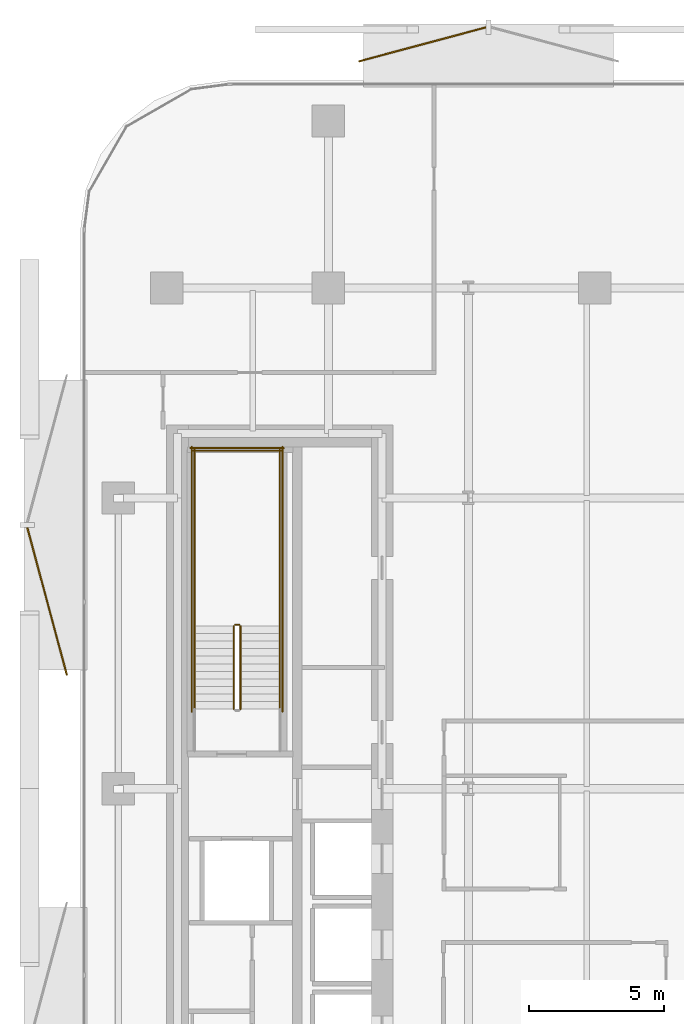
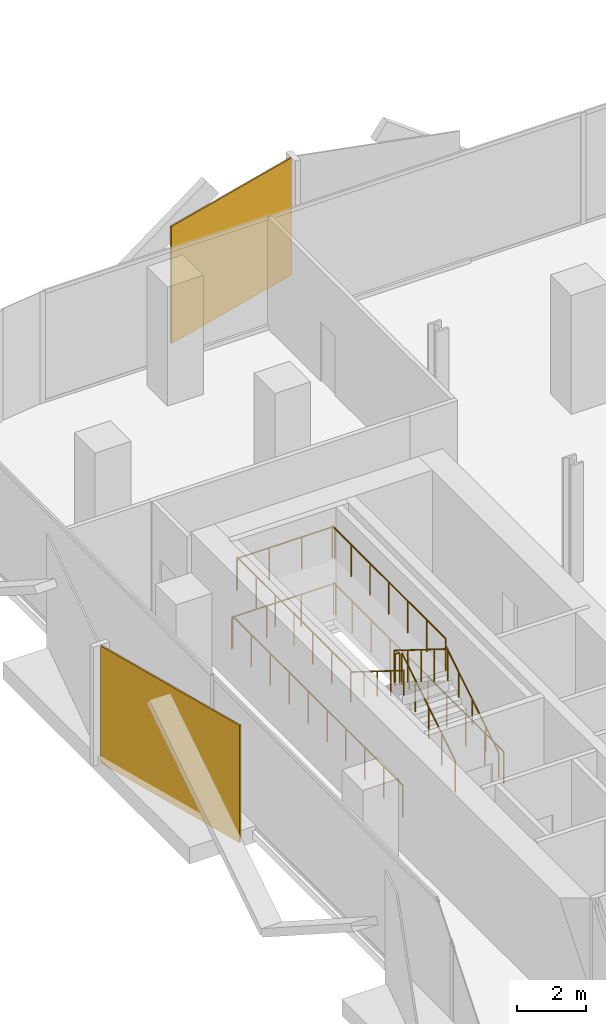
# One storey, part 14 of 15: 11 railings, 2 coverings.
"""IFC4 building model written with IfcOpenShell, lengths in metres."""

from ifc_helpers import new_model, si_unit, direction, frame, origin, origin_2d, place, context, subcontext, project, spatial, rectangle, circle, extrude, material, layer, layer_set, type_object, element, save


model = new_model("IFC4")

# Units and contexts
model_context = context("Model", 3, precision=1e-05, world=origin(), true_north=direction((0.0, 1.0)))
body_context = subcontext(model_context, "Body", "Model", "MODEL_VIEW")
ifc_project = project(units=[si_unit("LENGTHUNIT", "METRE"), si_unit("AREAUNIT", "SQUARE_METRE"), si_unit("VOLUMEUNIT", "CUBIC_METRE"), si_unit("PLANEANGLEUNIT", "RADIAN"), si_unit("MASSUNIT", "GRAM", prefix="KILO")], contexts=[model_context])

# Site, building, storey
site_placement = place(None, origin())
site = spatial("IfcSite", under=ifc_project, at=site_placement, CompositionType="ELEMENT")
building_placement = place(site_placement, origin())
building = spatial("IfcBuilding", under=site, at=building_placement, Name="Khairoan Windgate Tower", CompositionType="ELEMENT")
storey_placement = place(building_placement, frame((0.0, 0.0, 131.0)))
storey = spatial("IfcBuildingStorey", under=building, at=storey_placement, Name="L30", CompositionType="ELEMENT", Elevation=131.0)

# Coverings
ifc_material_1 = material(Name="Anodised Bronze Aluminium 6063-T6", Category="aluminium")
ifc_layer = layer(ifc_material_1, 0.054931640625, Name="Anodised Bronze Aluminium 6063-T6")
ifc_layer_set = layer_set([ifc_layer], Name="Anodised Bronze Aluminium 6063-T6")
covering_type = type_object("IfcCoveringType", Name="Perforated Bronze-Ceramic Folded Solar Screen Cladding BSC-1", PredefinedType="CLADDING", material=ifc_layer_set)
covering_1_placement = place(storey_placement, frame((-24.8447265625, 6.961669921875, -0.10009765625), z_axis=(0.0, 0.0, 1.0), x_axis=(-0.258819045103, 0.965925826289, 0.0)))
element("IfcCovering", 1, at=covering_1_placement, inside=storey, type_object=covering_type, Name="L30 Folded Bronze Solar Screen Facet 188L", PredefinedType="CLADDING", context=body_context, shape_type="SweptSolid", body=[
    extrude(rectangle(XDim=5.680908203125, YDim=0.054931640625, at=origin_2d()), origin(), (0.0, 0.0, 1.0), 4.139892578125),
])
covering_2_placement = place(storey_placement, frame((-10.90087890625, 27.646240234375, -0.10009765625), z_axis=(0.0, 0.0, 1.0), x_axis=(0.965925826289, 0.258819045103, 0.0)))
element("IfcCovering", 2, at=covering_2_placement, inside=storey, type_object=covering_type, Name="L30 Folded Bronze Solar Screen Facet 189L", PredefinedType="CLADDING", context=body_context, shape_type="SweptSolid", body=[
    extrude(rectangle(XDim=4.89794921875, YDim=0.054931640625, at=origin_2d()), origin(), (0.0, 0.0, 1.0), 4.139892578125),
])

# Railings
ifc_material_2 = material(Name="Anodised Bronze Aluminium 6063-T6", Category="aluminium")
railing_type_1 = type_object("IfcRailingType", Name="Stair Wall Handrail SHR-900", PredefinedType="HANDRAIL", material=ifc_material_2)
railing_1_placement = place(storey_placement, frame((-16.199951171875, 2.9599609375, 0.175048828125)))
element("IfcRailing", 3, at=railing_1_placement, inside=storey, type_object=railing_type_1, Name="L30 ST2 stair handrail 1", PredefinedType="HANDRAIL", context=body_context, shape_type="SweptSolid", body=[
    extrude(circle(Radius=0.02392578125, at=origin_2d()), frame((0.0, 0.0, 0.8759765625), z_axis=(0.0, 0.847998304005, 0.529998940003), x_axis=(-1.0, 0.0, 0.0)), (0.0, 0.0, 1.0), 3.632080078125),
    extrude(circle(Radius=0.02099609375, at=origin_2d()), origin(), (0.0, 0.0, 1.0), 0.851806640625),
    extrude(circle(Radius=0.02099609375, at=origin_2d()), frame((0.0, 0.77001953125, 0.481201171875)), (0.0, 0.0, 1.0), 0.851806640625),
    extrude(circle(Radius=0.02099609375, at=origin_2d()), frame((0.0, 1.5400390625, 0.96240234375)), (0.0, 0.0, 1.0), 0.851806640625),
    extrude(circle(Radius=0.02099609375, at=origin_2d()), frame((0.0, 2.31005859375, 1.44384765625)), (0.0, 0.0, 1.0), 0.851806640625),
    extrude(circle(Radius=0.02099609375, at=origin_2d()), frame((0.0, 3.080078125, 1.925048828125)), (0.0, 0.0, 1.0), 0.851806640625),
])
railing_2_placement = place(storey_placement, frame((-19.3701171875, 6.0400390625, 2.27490234375)))
element("IfcRailing", 4, at=railing_2_placement, inside=storey, type_object=railing_type_1, Name="L30 ST2 stair handrail 2", PredefinedType="HANDRAIL", context=body_context, shape_type="SweptSolid", body=[
    extrude(circle(Radius=0.02392578125, at=origin_2d()), frame((0.0, 0.0, 0.8759765625), z_axis=(0.0, -0.847998304005, 0.529998940003), x_axis=(1.0, 0.0, 0.0)), (0.0, 0.0, 1.0), 3.632080078125),
    extrude(circle(Radius=0.02099609375, at=origin_2d()), origin(), (0.0, 0.0, 1.0), 0.851806640625),
    extrude(circle(Radius=0.02099609375, at=origin_2d()), frame((0.0, -0.77001953125, 0.481201171875)), (0.0, 0.0, 1.0), 0.851806640625),
    extrude(circle(Radius=0.02099609375, at=origin_2d()), frame((0.0, -1.5400390625, 0.96240234375)), (0.0, 0.0, 1.0), 0.851806640625),
    extrude(circle(Radius=0.02099609375, at=origin_2d()), frame((0.0, -2.31005859375, 1.44384765625)), (0.0, 0.0, 1.0), 0.851806640625),
    extrude(circle(Radius=0.02099609375, at=origin_2d()), frame((0.0, -3.080078125, 1.925048828125)), (0.0, 0.0, 1.0), 0.851806640625),
])
ifc_material_3 = material(Name="Steel S355", Category="steel")
railing_type_2 = type_object("IfcRailingType", Name="Stairwell Safety Guardrail SGR-1150", PredefinedType="GUARDRAIL", material=ifc_material_3)
railing_3_placement = place(storey_placement, frame((-17.659912109375, 2.9599609375, 0.175048828125)))
element("IfcRailing", 5, at=railing_3_placement, inside=storey, type_object=railing_type_2, Name="L30 ST2 stair guard 1", PredefinedType="GUARDRAIL", context=body_context, shape_type="SweptSolid", body=[
    extrude(circle(Radius=0.02392578125, at=origin_2d()), frame((0.0, 0.0, 1.1259765625), z_axis=(0.0, 0.847998304005, 0.529998940003), x_axis=(-1.0, 0.0, 0.0)), (0.0, 0.0, 1.0), 3.632080078125),
    extrude(circle(Radius=0.02099609375, at=origin_2d()), origin(), (0.0, 0.0, 1.0), 1.101806640625),
    extrude(circle(Radius=0.02099609375, at=origin_2d()), frame((0.0, 0.77001953125, 0.481201171875)), (0.0, 0.0, 1.0), 1.101806640625),
    extrude(circle(Radius=0.02099609375, at=origin_2d()), frame((0.0, 1.5400390625, 0.96240234375)), (0.0, 0.0, 1.0), 1.101806640625),
    extrude(circle(Radius=0.02099609375, at=origin_2d()), frame((0.0, 2.31005859375, 1.44384765625)), (0.0, 0.0, 1.0), 1.101806640625),
    extrude(circle(Radius=0.02099609375, at=origin_2d()), frame((0.0, 3.080078125, 1.925048828125)), (0.0, 0.0, 1.0), 1.101806640625),
])
railing_4_placement = place(storey_placement, frame((-17.7099609375, 6.090087890625, 2.10009765625)))
element("IfcRailing", 6, at=railing_4_placement, inside=storey, type_object=railing_type_2, Name="L30 ST2 stair guard 2", PredefinedType="GUARDRAIL", context=body_context, shape_type="SweptSolid", body=[
    extrude(circle(Radius=0.02392578125, at=origin_2d()), frame((0.0, 0.0, 1.1259765625), z_axis=(-1.0, 0.0, 0.0), x_axis=(0.0, -1.0, 0.0)), (0.0, 0.0, 1.0), 0.150146484375),
    extrude(circle(Radius=0.02099609375, at=origin_2d()), origin(), (0.0, 0.0, 1.0), 1.101806640625),
    extrude(circle(Radius=0.02099609375, at=origin_2d()), frame((-0.150146484375, 0.0, 0.0)), (0.0, 0.0, 1.0), 1.101806640625),
])
for number, where, name in (
    (7, (-16.199951171875, 6.0400390625, 2.10009765625), "L30 ST2 stair guard 3"),
    (8, (-19.3701171875, 6.0400390625, 2.10009765625), "L30 ST2 stair guard 4"),
):
    element("IfcRailing", number, at=place(storey_placement, frame(where)), inside=storey, type_object=railing_type_2, Name=name, PredefinedType="GUARDRAIL", context=body_context, shape_type="SweptSolid", body=[
        extrude(circle(Radius=0.02392578125, at=origin_2d()), frame((0.0, 0.0, 1.1259765625), z_axis=(0.0, 1.0, 0.0), x_axis=(-1.0, 0.0, 0.0)), (0.0, 0.0, 1.0), 6.56005859375),
        extrude(circle(Radius=0.02099609375, at=origin_2d()), origin(), (0.0, 0.0, 1.0), 1.101806640625),
        extrude(circle(Radius=0.02099609375, at=origin_2d()), frame((0.0, 1.09326171875, 0.0)), (0.0, 0.0, 1.0), 1.101806640625),
        extrude(circle(Radius=0.02099609375, at=origin_2d()), frame((0.0, 2.186767578125, 0.0)), (0.0, 0.0, 1.0), 1.101806640625),
        extrude(circle(Radius=0.02099609375, at=origin_2d()), frame((0.0, 3.280029296875, 0.0)), (0.0, 0.0, 1.0), 1.101806640625),
        extrude(circle(Radius=0.02099609375, at=origin_2d()), frame((0.0, 4.373291015625, 0.0)), (0.0, 0.0, 1.0), 1.101806640625),
        extrude(circle(Radius=0.02099609375, at=origin_2d()), frame((0.0, 5.466796875, 0.0)), (0.0, 0.0, 1.0), 1.101806640625),
        extrude(circle(Radius=0.02099609375, at=origin_2d()), frame((0.0, 6.56005859375, 0.0)), (0.0, 0.0, 1.0), 1.101806640625),
    ])
railing_5_placement = place(storey_placement, frame((-16.14990234375, 12.550048828125, 2.10009765625)))
element("IfcRailing", 9, at=railing_5_placement, inside=storey, type_object=railing_type_2, Name="L30 ST2 stair guard 5", PredefinedType="GUARDRAIL", context=body_context, shape_type="SweptSolid", body=[
    extrude(circle(Radius=0.02392578125, at=origin_2d()), frame((0.0, 0.0, 1.1259765625), z_axis=(-1.0, 0.0, 0.0), x_axis=(0.0, -1.0, 0.0)), (0.0, 0.0, 1.0), 3.27001953125),
    extrude(circle(Radius=0.02099609375, at=origin_2d()), origin(), (0.0, 0.0, 1.0), 1.101806640625),
    extrude(circle(Radius=0.02099609375, at=origin_2d()), frame((-1.090087890625, 0.0, 0.0)), (0.0, 0.0, 1.0), 1.101806640625),
    extrude(circle(Radius=0.02099609375, at=origin_2d()), frame((-2.179931640625, 0.0, 0.0)), (0.0, 0.0, 1.0), 1.101806640625),
    extrude(circle(Radius=0.02099609375, at=origin_2d()), frame((-3.27001953125, 0.0, 0.0)), (0.0, 0.0, 1.0), 1.101806640625),
])
railing_6_placement = place(storey_placement, frame((-17.909912109375, 6.0400390625, 2.27490234375)))
element("IfcRailing", 10, at=railing_6_placement, inside=storey, type_object=railing_type_2, Name="L30 ST2 stair guard 6", PredefinedType="GUARDRAIL", context=body_context, shape_type="SweptSolid", body=[
    extrude(circle(Radius=0.02392578125, at=origin_2d()), frame((0.0, 0.0, 1.1259765625), z_axis=(0.0, -0.847998304005, 0.529998940003), x_axis=(1.0, 0.0, 0.0)), (0.0, 0.0, 1.0), 3.632080078125),
    extrude(circle(Radius=0.02099609375, at=origin_2d()), origin(), (0.0, 0.0, 1.0), 1.101806640625),
    extrude(circle(Radius=0.02099609375, at=origin_2d()), frame((0.0, -0.77001953125, 0.481201171875)), (0.0, 0.0, 1.0), 1.101806640625),
    extrude(circle(Radius=0.02099609375, at=origin_2d()), frame((0.0, -1.5400390625, 0.96240234375)), (0.0, 0.0, 1.0), 1.101806640625),
    extrude(circle(Radius=0.02099609375, at=origin_2d()), frame((0.0, -2.31005859375, 1.44384765625)), (0.0, 0.0, 1.0), 1.101806640625),
    extrude(circle(Radius=0.02099609375, at=origin_2d()), frame((0.0, -3.080078125, 1.925048828125)), (0.0, 0.0, 1.0), 1.101806640625),
])
for number, where, name in (
    (11, (-16.10009765625, 2.860107421875, 0.0), "L30 ST2 stair guard 10"),
    (12, (-19.469970703125, 2.860107421875, 0.0), "L30 ST2 stair guard 11"),
):
    element("IfcRailing", number, at=place(storey_placement, frame(where)), inside=storey, type_object=railing_type_2, Name=name, PredefinedType="GUARDRAIL", context=body_context, shape_type="SweptSolid", body=[
        extrude(circle(Radius=0.02392578125, at=origin_2d()), frame((0.0, 0.0, 1.1259765625), z_axis=(0.0, 1.0, 0.0), x_axis=(-1.0, 0.0, 0.0)), (0.0, 0.0, 1.0), 9.83984375),
        extrude(circle(Radius=0.02099609375, at=origin_2d()), origin(), (0.0, 0.0, 1.0), 1.101806640625),
        extrude(circle(Radius=0.02099609375, at=origin_2d()), frame((0.0, 1.09326171875, 0.0)), (0.0, 0.0, 1.0), 1.101806640625),
        extrude(circle(Radius=0.02099609375, at=origin_2d()), frame((0.0, 2.1865234375, 0.0)), (0.0, 0.0, 1.0), 1.101806640625),
        extrude(circle(Radius=0.02099609375, at=origin_2d()), frame((0.0, 3.280029296875, 0.0)), (0.0, 0.0, 1.0), 1.101806640625),
        extrude(circle(Radius=0.02099609375, at=origin_2d()), frame((0.0, 4.373291015625, 0.0)), (0.0, 0.0, 1.0), 1.101806640625),
        extrude(circle(Radius=0.02099609375, at=origin_2d()), frame((0.0, 5.466552734375, 0.0)), (0.0, 0.0, 1.0), 1.101806640625),
        extrude(circle(Radius=0.02099609375, at=origin_2d()), frame((0.0, 6.559814453125, 0.0)), (0.0, 0.0, 1.0), 1.101806640625),
        extrude(circle(Radius=0.02099609375, at=origin_2d()), frame((0.0, 7.6533203125, 0.0)), (0.0, 0.0, 1.0), 1.101806640625),
        extrude(circle(Radius=0.02099609375, at=origin_2d()), frame((0.0, 8.74658203125, 0.0)), (0.0, 0.0, 1.0), 1.101806640625),
        extrude(circle(Radius=0.02099609375, at=origin_2d()), frame((0.0, 9.83984375, 0.0)), (0.0, 0.0, 1.0), 1.101806640625),
    ])
railing_7_placement = place(storey_placement, frame((-16.050048828125, 12.64990234375, 0.0)))
element("IfcRailing", 13, at=railing_7_placement, inside=storey, type_object=railing_type_2, Name="L30 ST2 stair guard 12", PredefinedType="GUARDRAIL", context=body_context, shape_type="SweptSolid", body=[
    extrude(circle(Radius=0.02392578125, at=origin_2d()), frame((0.0, 0.0, 1.1259765625), z_axis=(-1.0, 0.0, 0.0), x_axis=(0.0, -1.0, 0.0)), (0.0, 0.0, 1.0), 3.469970703125),
    extrude(circle(Radius=0.02099609375, at=origin_2d()), origin(), (0.0, 0.0, 1.0), 1.101806640625),
    extrude(circle(Radius=0.02099609375, at=origin_2d()), frame((-1.15673828125, 0.0, 0.0)), (0.0, 0.0, 1.0), 1.101806640625),
    extrude(circle(Radius=0.02099609375, at=origin_2d()), frame((-2.313232421875, 0.0, 0.0)), (0.0, 0.0, 1.0), 1.101806640625),
    extrude(circle(Radius=0.02099609375, at=origin_2d()), frame((-3.469970703125, 0.0, 0.0)), (0.0, 0.0, 1.0), 1.101806640625),
])

save(model, "model.ifc")
